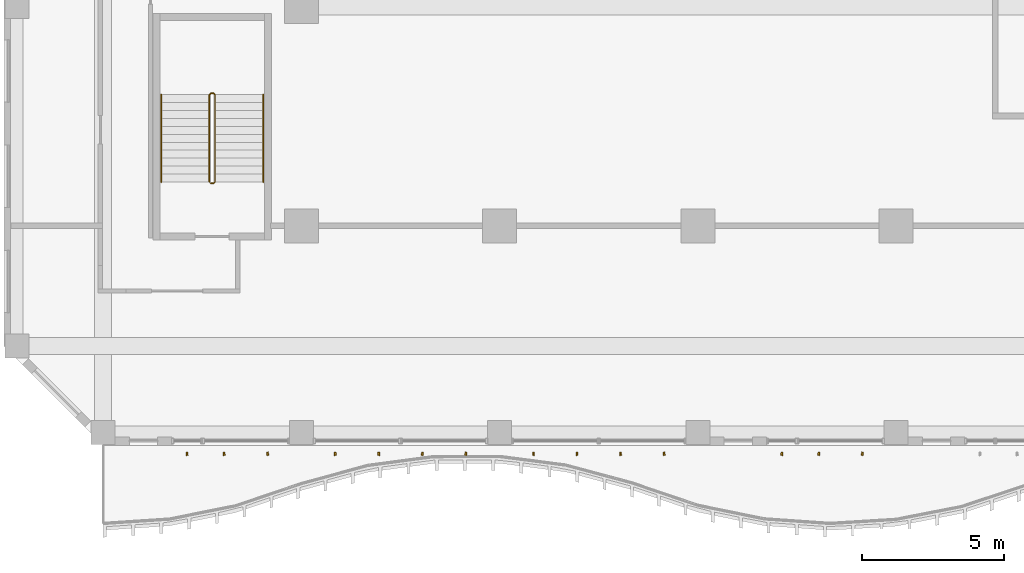
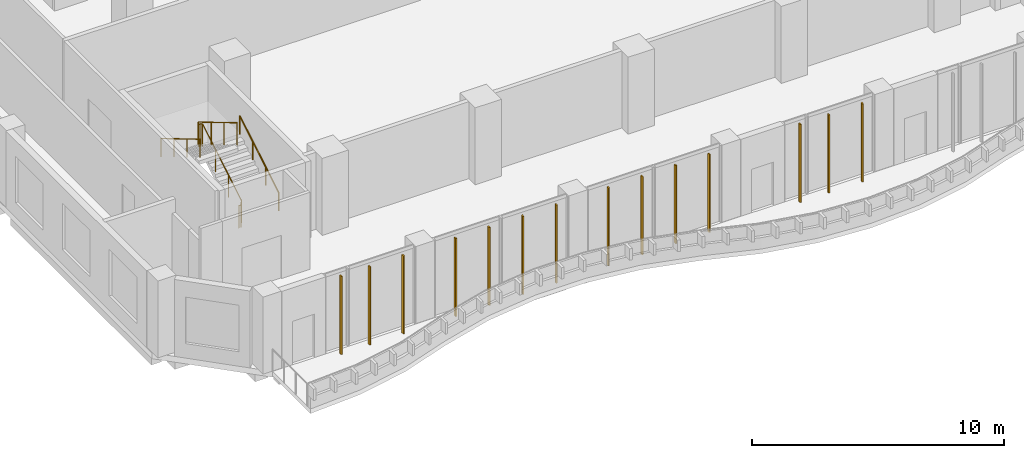
# One storey, part 20 of 27: 14 shading devices, 3 railings.
"""IFC4 building model written with IfcOpenShell, lengths in metres."""

from ifc_helpers import new_model, si_unit, direction, frame, origin, origin_2d, place, context, subcontext, project, spatial, rectangle, circle, extrude, source, transform, mapped, material, material_profile, profile_set, type_object, element, save


model = new_model("IFC4")

# Units and contexts
model_context = context("Model", 3, precision=1e-05, world=origin(), true_north=direction((0.0, 1.0)))
body_context = subcontext(model_context, "Body", "Model", "MODEL_VIEW")
ifc_project = project(units=[si_unit("LENGTHUNIT", "METRE"), si_unit("AREAUNIT", "SQUARE_METRE"), si_unit("VOLUMEUNIT", "CUBIC_METRE"), si_unit("PLANEANGLEUNIT", "RADIAN"), si_unit("MASSUNIT", "GRAM", prefix="KILO")], contexts=[model_context])

# Site, building, storey
site_placement = place(None, origin())
site = spatial("IfcSite", under=ifc_project, at=site_placement, CompositionType="ELEMENT")
building_placement = place(site_placement, origin())
building = spatial("IfcBuilding", under=site, at=building_placement, Name="Kilnfold Tower and Market Hall", CompositionType="ELEMENT")
storey_placement = place(building_placement, frame((0.0, 0.0, 112.60009765625)))
storey = spatial("IfcBuildingStorey", under=building, at=storey_placement, Name="L26", CompositionType="ELEMENT", Elevation=112.60009765625)

# Railings
ifc_material_1 = material(Name="Stainless steel 316", Category="steel")
railing_type_1 = type_object("IfcRailingType", Name="CORE STAIR GUARD 1100", PredefinedType="GUARDRAIL", material=ifc_material_1)
railing_1_placement = place(storey_placement, frame((-15.699951171875, -13.75, 0.0)))
element("IfcRailing", 1, at=railing_1_placement, inside=storey, type_object=railing_type_1, Name="L26 ST3 stair guard 1", PredefinedType="GUARDRAIL", context=body_context, shape_type="SweptSolid", body=[
    extrude(circle(Radius=0.02392578125, at=origin_2d()), frame((0.0, 0.0, 1.076171875), z_axis=(1.0, 0.0, 0.0), x_axis=(0.0, 1.0, 0.0)), (0.0, 0.0, 1.0), 0.099853515625),
    extrude(circle(Radius=0.02392578125, at=origin_2d()), frame((0.099853515625, 0.0, 1.076171875), z_axis=(0.27662974545, 0.27662974545, 0.920299933644), x_axis=(-0.707106781187, 0.707106781187, 0.0)), (0.0, 0.0, 1.0), 0.180908203125),
    extrude(circle(Radius=0.02392578125, at=origin_2d()), frame((0.14990234375, 0.050048828125, 1.24267578125), z_axis=(0.0, 0.859260807169, 0.511537745687), x_axis=(-1.0, 0.0, 0.0)), (0.0, 0.0, 1.0), 3.584228515625),
    extrude(circle(Radius=0.02392578125, at=origin_2d()), frame((0.14990234375, 3.1298828125, 3.076171875), z_axis=(-0.707106781187, 0.707106781187, 0.0), x_axis=(-0.707106781187, -0.707106781187, 0.0)), (0.0, 0.0, 1.0), 0.07080078125),
    extrude(circle(Radius=0.02392578125, at=origin_2d()), frame((0.099853515625, 3.179931640625, 3.076171875), z_axis=(-1.0, 0.0, 0.0), x_axis=(0.0, -1.0, 0.0)), (0.0, 0.0, 1.0), 0.099853515625),
    extrude(circle(Radius=0.02392578125, at=origin_2d()), frame((0.0, 3.179931640625, 3.076171875), z_axis=(-0.27662974545, -0.27662974545, 0.920299933644), x_axis=(0.707106781187, -0.707106781187, 0.0)), (0.0, 0.0, 1.0), 0.180908203125),
    extrude(circle(Radius=0.02392578125, at=origin_2d()), frame((-0.050048828125, 3.1298828125, 3.24267578125), z_axis=(0.0, -0.859260807169, 0.511537745687), x_axis=(1.0, 0.0, 0.0)), (0.0, 0.0, 1.0), 3.584228515625),
    extrude(circle(Radius=0.02099609375, at=origin_2d()), origin(), (0.0, 0.0, 1.0), 1.052001953125),
    extrude(circle(Radius=0.02099609375, at=origin_2d()), frame((0.099853515625, 0.0, 0.0)), (0.0, 0.0, 1.0), 1.052001953125),
    extrude(circle(Radius=0.02099609375, at=origin_2d()), frame((0.14990234375, 0.050048828125, 0.16650390625)), (0.0, 0.0, 1.0), 1.052001953125),
    extrude(circle(Radius=0.02099609375, at=origin_2d()), frame((0.14990234375, 1.07666015625, 0.777587890625)), (0.0, 0.0, 1.0), 1.052001953125),
    extrude(circle(Radius=0.02099609375, at=origin_2d()), frame((0.14990234375, 2.103271484375, 1.388916015625)), (0.0, 0.0, 1.0), 1.052001953125),
    extrude(circle(Radius=0.02099609375, at=origin_2d()), frame((0.14990234375, 3.1298828125, 2.0)), (0.0, 0.0, 1.0), 1.052001953125),
    extrude(circle(Radius=0.02099609375, at=origin_2d()), frame((0.099853515625, 3.179931640625, 2.0)), (0.0, 0.0, 1.0), 1.052001953125),
    extrude(circle(Radius=0.02099609375, at=origin_2d()), frame((0.0, 3.179931640625, 2.0)), (0.0, 0.0, 1.0), 1.052001953125),
    extrude(circle(Radius=0.02099609375, at=origin_2d()), frame((-0.050048828125, 3.1298828125, 2.16650390625)), (0.0, 0.0, 1.0), 1.052001953125),
    extrude(circle(Radius=0.02099609375, at=origin_2d()), frame((-0.050048828125, 2.103271484375, 2.777587890625)), (0.0, 0.0, 1.0), 1.052001953125),
    extrude(circle(Radius=0.02099609375, at=origin_2d()), frame((-0.050048828125, 1.07666015625, 3.388916015625)), (0.0, 0.0, 1.0), 1.052001953125),
    extrude(circle(Radius=0.02099609375, at=origin_2d()), frame((-0.050048828125, 0.050048828125, 4.0)), (0.0, 0.0, 1.0), 1.052001953125),
])
ifc_material_2 = material(Name="Stainless steel 316", Category="steel")
railing_type_2 = type_object("IfcRailingType", Name="CORE STAIR HANDRAIL 900", PredefinedType="HANDRAIL", material=ifc_material_2)
railing_2_placement = place(storey_placement, frame((-13.85009765625, -13.699951171875, 0.16650390625)))
element("IfcRailing", 2, at=railing_2_placement, inside=storey, type_object=railing_type_2, Name="L26 ST3 stair handrail 1", PredefinedType="HANDRAIL", context=body_context, shape_type="SweptSolid", body=[
    extrude(circle(Radius=0.02392578125, at=origin_2d()), frame((0.0, 0.0, 0.8759765625), z_axis=(0.0, 0.859260807169, 0.511537745687), x_axis=(-1.0, 0.0, 0.0)), (0.0, 0.0, 1.0), 3.584228515625),
    extrude(circle(Radius=0.02099609375, at=origin_2d()), origin(), (0.0, 0.0, 1.0), 0.851806640625),
    extrude(circle(Radius=0.02099609375, at=origin_2d()), frame((0.0, 1.026611328125, 0.611083984375)), (0.0, 0.0, 1.0), 0.851806640625),
    extrude(circle(Radius=0.02099609375, at=origin_2d()), frame((0.0, 2.05322265625, 1.222412109375)), (0.0, 0.0, 1.0), 0.851806640625),
    extrude(circle(Radius=0.02099609375, at=origin_2d()), frame((0.0, 3.079833984375, 1.83349609375)), (0.0, 0.0, 1.0), 0.851806640625),
])
railing_3_placement = place(storey_placement, frame((-17.449951171875, -10.6201171875, 2.16650390625)))
element("IfcRailing", 3, at=railing_3_placement, inside=storey, type_object=railing_type_2, Name="L26 ST3 stair handrail 2", PredefinedType="HANDRAIL", context=body_context, shape_type="SweptSolid", body=[
    extrude(circle(Radius=0.02392578125, at=origin_2d()), frame((0.0, 0.0, 0.8759765625), z_axis=(0.0, -0.859260807169, 0.511537745687), x_axis=(1.0, 0.0, 0.0)), (0.0, 0.0, 1.0), 3.584228515625),
    extrude(circle(Radius=0.02099609375, at=origin_2d()), origin(), (0.0, 0.0, 1.0), 0.851806640625),
    extrude(circle(Radius=0.02099609375, at=origin_2d()), frame((0.0, -1.026611328125, 0.611083984375)), (0.0, 0.0, 1.0), 0.851806640625),
    extrude(circle(Radius=0.02099609375, at=origin_2d()), frame((0.0, -2.05322265625, 1.222412109375)), (0.0, 0.0, 1.0), 0.851806640625),
    extrude(circle(Radius=0.02099609375, at=origin_2d()), frame((0.0, -3.079833984375, 1.83349609375)), (0.0, 0.0, 1.0), 0.851806640625),
])

# Shading devices
ifc_material_3 = material(Name="Terracotta", Category="masonry")
ifc_material_profile = material_profile(ifc_material_3, rectangle(XDim=0.06005859375, YDim=0.1201171875, at=origin_2d()), Name="BAG 60x120")
ifc_profile_set = profile_set([ifc_material_profile], Name="Terracotta")
shading_device_type = type_object("IfcShadingDeviceType", Name="BAGUETTE", PredefinedType="USERDEFINED", material=ifc_profile_set)
shared_shape = source(origin(), body_context, "Body", "SweptSolid", [
    extrude(rectangle(XDim=0.06005859375, YDim=0.1201171875, at=origin_2d()), origin(), (0.0, 0.0, 1.0), 3.77978515625),
])
for number, where, z_axis, x_axis, name in (
    (4, (-16.53759765625, -23.300048828125, 0.0), (0.0, 0.0, 1.0), (0.998857912804, 0.047779389172, 0.0), "Terracotta baguette L26 S"),
    (5, (-15.231201171875, -23.300048828125, 0.0), (0.0, 0.0, 1.0), (0.993690248512, 0.112159217241, 0.0), "Terracotta baguette L26 S"),
    (6, (-13.693603515625, -23.300048828125, 0.0), (0.0, 0.0, 1.0), (0.990297195368, 0.13896569665, 0.0), "Terracotta baguette L26 S"),
    (7, (-11.306396484375, -23.300048828125, 0.0), (0.0, 0.0, 1.0), (0.998198704592, 0.059994551011, 0.0), "Terracotta baguette L26 S"),
    (8, (-9.768798828125, -23.300048828125, 0.0), (0.0, 0.0, 1.0), (0.999423808434, -0.03394187877, 0.0), "Terracotta baguette L26 S"),
    (9, (-8.231201171875, -23.300048828125, 0.0), (0.0, 0.0, 1.0), (0.993690248512, -0.112159217241, 0.0), "Terracotta baguette L26 S"),
    (10, (-6.69384765625, -23.300048828125, 0.0), (0.0, 0.0, 1.0), (0.990297195368, -0.13896569665, 0.0), "Terracotta baguette L26 S"),
    (11, (-4.30615234375, -23.300048828125, 0.0), (0.0, 0.0, 1.0), (0.998198704592, -0.059994551011, 0.0), "Terracotta baguette L26 S"),
    (12, (-2.768798828125, -23.300048828125, 0.0), (0.0, 0.0, 1.0), (0.999423808434, 0.03394187877, 0.0), "Terracotta baguette L26 S"),
    (13, (-1.231201171875, -23.300048828125, 0.0), (0.0, 0.0, 1.0), (0.993690248512, 0.112159217241, 0.0), "Terracotta baguette L26 S"),
    (14, (0.30615234375, -23.300048828125, 0.0), (0.0, 0.0, 1.0), (0.990297195368, 0.13896569665, 0.0), "Terracotta baguette L26 S"),
    (15, (4.46240234375, -23.300048828125, 0.0), (0.0, 0.0, 1.0), (0.998857912804, -0.047779389172, 0.0), "Terracotta baguette L26 S"),
    (16, (5.768798828125, -23.300048828125, 0.0), (0.0, 0.0, 1.0), (0.993690248512, -0.112159217241, 0.0), "Terracotta baguette L26 S"),
    (17, (7.30615234375, -23.300048828125, 0.0), (0.0, 0.0, 1.0), (0.990297195368, -0.13896569665, 0.0), "Terracotta baguette L26 S"),
):
    element("IfcShadingDevice", number, at=place(storey_placement, frame(where, z_axis=z_axis, x_axis=x_axis)), inside=storey, type_object=shading_device_type, Name=name, ObjectType="BAGUETTE", PredefinedType="USERDEFINED", context=body_context, shape_type="MappedRepresentation", body=[
        mapped(shared_shape, transform((0.0, 0.0, 0.0))),
    ])

save(model, "model.ifc")
